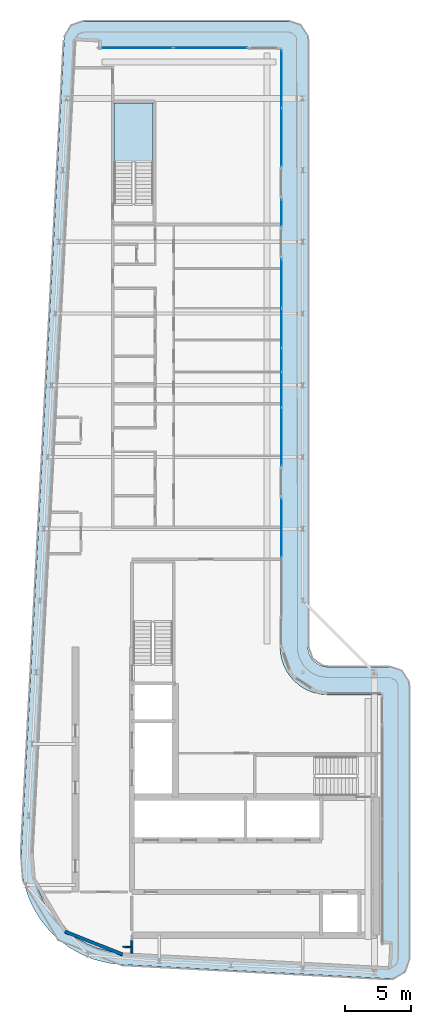
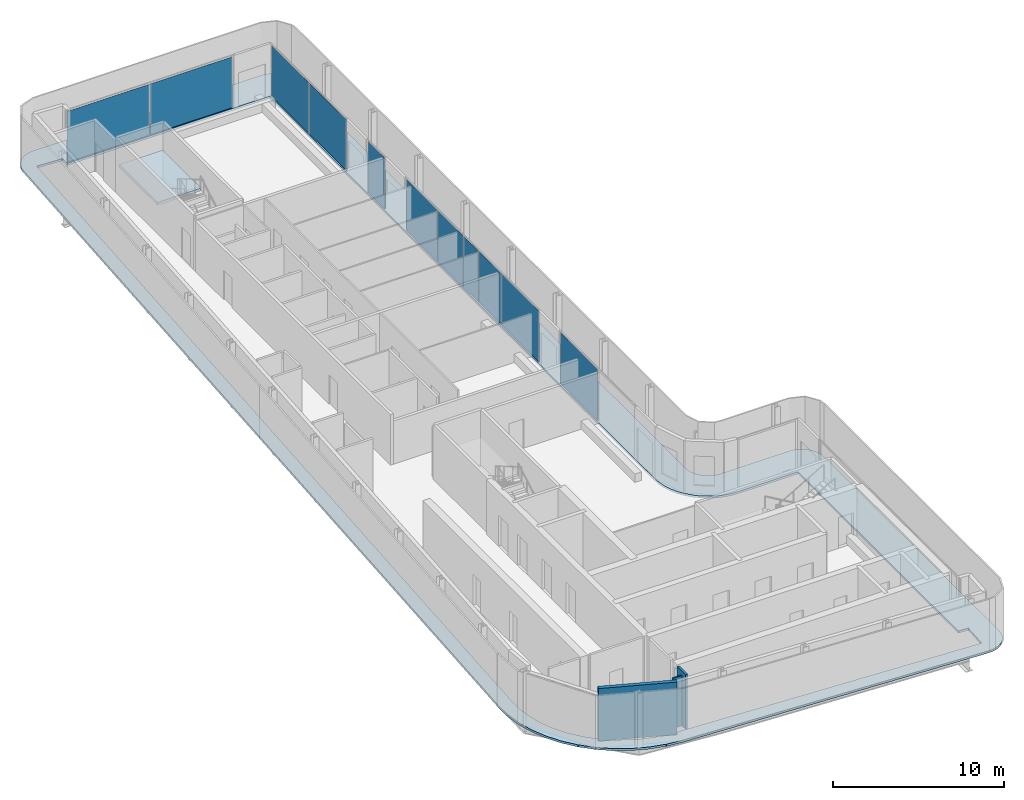
# One storey, part 8 of 19: 11 plates, 3 walls, 2 slabs, 7 elements without a shape of their own.
"""IFC4 building model written with IfcOpenShell, lengths in metres."""

from ifc_helpers import new_model, si_unit, direction, frame, frame_2d, origin, origin_2d, place, context, subcontext, project, spatial, polyline, rectangle, outline, extrude, material, layer, layer_set, type_object, element, aggregate, save


model = new_model("IFC4")

# Units and contexts
model_context = context("Model", 3, precision=1e-05, world=origin(), true_north=direction((0.0, 1.0)))
body_context = subcontext(model_context, "Body", "Model", "MODEL_VIEW")
ifc_project = project(units=[si_unit("LENGTHUNIT", "METRE"), si_unit("AREAUNIT", "SQUARE_METRE"), si_unit("VOLUMEUNIT", "CUBIC_METRE"), si_unit("PLANEANGLEUNIT", "RADIAN"), si_unit("MASSUNIT", "GRAM", prefix="KILO")], contexts=[model_context])

# Site, building, storey
site_placement = place(None, origin())
site = spatial("IfcSite", under=ifc_project, at=site_placement, CompositionType="ELEMENT")
building_placement = place(site_placement, origin())
building = spatial("IfcBuilding", under=site, at=building_placement, Name="Kheshtan School and Residences Tower", CompositionType="ELEMENT")
storey_placement = place(building_placement, frame((0.0, 0.0, 357.800048828125)))
storey = spatial("IfcBuildingStorey", under=building, at=storey_placement, Name="L84", CompositionType="ELEMENT", Elevation=357.800048828125)

# Curtain wall, plates
ifc_material_1 = material(Name="Clear low-e glass in thermally broken aluminium frame", Category="aluminium")
ifc_layer_1 = layer(ifc_material_1, 0.199951171875)
ifc_layer_set_1 = layer_set([ifc_layer_1], Name="Curtain wall CW-L")
curtain_wall_type = type_object("IfcCurtainWallType", Name="Curtain wall CW-L", PredefinedType="NOTDEFINED", material=ifc_layer_set_1)
curtain_wall_1_placement = place(storey_placement, origin())
curtain_wall_1 = element("IfcCurtainWall", 1, at=curtain_wall_1_placement, inside=storey, type_object=curtain_wall_type, Name="Curtain wall CWL3a", PredefinedType="NOTDEFINED")
ifc_layer_2 = layer(ifc_material_1, 0.031982421875)
ifc_layer_set_2 = layer_set([ifc_layer_2], Name="CW-L glass panel")
plate_type = type_object("IfcPlateType", Name="CW-L glass panel", PredefinedType="CURTAIN_PANEL", material=ifc_layer_set_2)
plate_1_placement = place(storey_placement, frame((35.0458984375, 92.60009765625, 0.0), z_axis=(0.0, 0.0, 1.0), x_axis=(1.0, 0.0, 0.0)))
plate_1 = element("IfcPlate", 2, at=plate_1_placement, type_object=plate_type, Name="CWL3a panel 1.1", PredefinedType="CURTAIN_PANEL", context=body_context, shape_type="SweptSolid", body=[
    extrude(rectangle(XDim=5.555908203125, YDim=0.031982421875, at=origin_2d()), origin(), (0.0, 0.0, 1.0), 3.6298828125),
])
plate_2_placement = place(storey_placement, frame((40.662109375, 92.60009765625, 0.0), z_axis=(0.0, 0.0, 1.0), x_axis=(1.0, 0.0, 0.0)))
plate_2 = element("IfcPlate", 3, at=plate_2_placement, type_object=plate_type, Name="CWL3a panel 2.1", PredefinedType="CURTAIN_PANEL", context=body_context, shape_type="SweptSolid", body=[
    extrude(rectangle(XDim=5.555908203125, YDim=0.031982421875, at=origin_2d()), origin(), (0.0, 0.0, 1.0), 3.6298828125),
])
aggregate(curtain_wall_1, [plate_1, plate_2])

curtain_wall_2_placement = place(storey_placement, origin())
curtain_wall_2 = element("IfcCurtainWall", 4, at=curtain_wall_2_placement, inside=storey, type_object=curtain_wall_type, Name="Curtain wall CWL4b", PredefinedType="NOTDEFINED")
plate_3_placement = place(storey_placement, frame((46.0, 90.26806640625, 0.0), z_axis=(0.0, 0.0, 1.0), x_axis=(0.0, -1.0, 0.0)))
plate_3 = element("IfcPlate", 5, at=plate_3_placement, type_object=plate_type, Name="CWL4b panel 1.1", PredefinedType="CURTAIN_PANEL", context=body_context, shape_type="SweptSolid", body=[
    extrude(rectangle(XDim=4.34375, YDim=0.031982421875, at=origin_2d()), origin(), (0.0, 0.0, 1.0), 3.6298828125),
])
plate_4_placement = place(storey_placement, frame((46.0, 85.8642578125, 0.0), z_axis=(0.0, 0.0, 1.0), x_axis=(0.0, -1.0, 0.0)))
plate_4 = element("IfcPlate", 6, at=plate_4_placement, type_object=plate_type, Name="CWL4b panel 2.1", PredefinedType="CURTAIN_PANEL", context=body_context, shape_type="SweptSolid", body=[
    extrude(rectangle(XDim=4.34375, YDim=0.031982421875, at=origin_2d()), origin(), (0.0, 0.0, 1.0), 3.6298828125),
])
aggregate(curtain_wall_2, [plate_3, plate_4])

# Curtain wall, plate
curtain_wall_3_placement = place(storey_placement, origin())
curtain_wall_3 = element("IfcCurtainWall", 7, at=curtain_wall_3_placement, inside=storey, type_object=curtain_wall_type, Name="Curtain wall CWL4c", PredefinedType="NOTDEFINED")
plate_5_placement = place(storey_placement, frame((46.0, 80.1826171875, 0.0), z_axis=(0.0, 0.0, 1.0), x_axis=(0.0, -1.0, 0.0)))
plate_5 = element("IfcPlate", 8, at=plate_5_placement, type_object=plate_type, Name="CWL4c panel 1.1", PredefinedType="CURTAIN_PANEL", context=body_context, shape_type="SweptSolid", body=[
    extrude(rectangle(XDim=1.97998046875, YDim=0.031982421875, at=origin_2d()), origin(), (0.0, 0.0, 1.0), 3.6298828125),
])
aggregate(curtain_wall_3, [plate_5])

# Curtain wall, plates
curtain_wall_4_placement = place(storey_placement, origin())
curtain_wall_4 = element("IfcCurtainWall", 9, at=curtain_wall_4_placement, inside=storey, type_object=curtain_wall_type, Name="Curtain wall CWL4l", PredefinedType="NOTDEFINED")
plate_6_placement = place(storey_placement, frame((46.0, 74.851318359375, 0.0), z_axis=(0.0, 0.0, 1.0), x_axis=(0.0, -1.0, 0.0)))
plate_6 = element("IfcPlate", 10, at=plate_6_placement, type_object=plate_type, Name="CWL4l panel 1.1", PredefinedType="CURTAIN_PANEL", context=body_context, shape_type="SweptSolid", body=[
    extrude(rectangle(XDim=3.642578125, YDim=0.031982421875, at=origin_2d()), origin(), (0.0, 0.0, 1.0), 3.6298828125),
])
plate_7_placement = place(storey_placement, frame((46.0, 71.49755859375, 0.0), z_axis=(0.0, 0.0, 1.0), x_axis=(0.0, -1.0, 0.0)))
plate_7 = element("IfcPlate", 11, at=plate_7_placement, type_object=plate_type, Name="CWL4l panel 2.1", PredefinedType="CURTAIN_PANEL", context=body_context, shape_type="SweptSolid", body=[
    extrude(rectangle(XDim=2.945068359375, YDim=0.031982421875, at=origin_2d()), origin(), (0.0, 0.0, 1.0), 3.6298828125),
])
aggregate(curtain_wall_4, [plate_6, plate_7])

curtain_wall_5_placement = place(storey_placement, origin())
curtain_wall_5 = element("IfcCurtainWall", 12, at=curtain_wall_5_placement, inside=storey, type_object=curtain_wall_type, Name="Curtain wall CWL4n", PredefinedType="NOTDEFINED")
plate_8_placement = place(storey_placement, frame((46.0, 69.097412109375, 0.0), z_axis=(0.0, 0.0, 1.0), x_axis=(0.0, -1.0, 0.0)))
plate_8 = element("IfcPlate", 13, at=plate_8_placement, type_object=plate_type, Name="CWL4n panel 1.1", PredefinedType="CURTAIN_PANEL", context=body_context, shape_type="SweptSolid", body=[
    extrude(rectangle(XDim=1.735107421875, YDim=0.031982421875, at=origin_2d()), origin(), (0.0, 0.0, 1.0), 3.6298828125),
])
plate_9_placement = place(storey_placement, frame((46.0, 66.86572265625, 0.0), z_axis=(0.0, 0.0, 1.0), x_axis=(0.0, -1.0, 0.0)))
plate_9 = element("IfcPlate", 14, at=plate_9_placement, type_object=plate_type, Name="CWL4n panel 2.1", PredefinedType="CURTAIN_PANEL", context=body_context, shape_type="SweptSolid", body=[
    extrude(rectangle(XDim=2.608642578125, YDim=0.031982421875, at=origin_2d()), origin(), (0.0, 0.0, 1.0), 3.6298828125),
])
plate_10_placement = place(storey_placement, frame((46.0, 63.329345703125, 0.0), z_axis=(0.0, 0.0, 1.0), x_axis=(0.0, -1.0, 0.0)))
plate_10 = element("IfcPlate", 15, at=plate_10_placement, type_object=plate_type, Name="CWL4n panel 3.1", PredefinedType="CURTAIN_PANEL", context=body_context, shape_type="SweptSolid", body=[
    extrude(rectangle(XDim=4.34375, YDim=0.031982421875, at=origin_2d()), origin(), (0.0, 0.0, 1.0), 3.6298828125),
])
aggregate(curtain_wall_5, [plate_8, plate_9, plate_10])

# Curtain wall, plate
curtain_wall_6_placement = place(storey_placement, origin())
curtain_wall_6 = element("IfcCurtainWall", 16, at=curtain_wall_6_placement, inside=storey, type_object=curtain_wall_type, Name="Curtain wall CWL4b", PredefinedType="NOTDEFINED")
plate_11_placement = place(storey_placement, frame((46.0, 56.465576171875, 0.0), z_axis=(0.0, 0.0, 1.0), x_axis=(0.0, -1.0, 0.0)))
plate_11 = element("IfcPlate", 17, at=plate_11_placement, type_object=plate_type, Name="CWL4b panel 1.1", PredefinedType="CURTAIN_PANEL", context=body_context, shape_type="SweptSolid", body=[
    extrude(rectangle(XDim=4.34375, YDim=0.031982421875, at=origin_2d()), origin(), (0.0, 0.0, 1.0), 3.6298828125),
])
aggregate(curtain_wall_6, [plate_11])

# Slab
ifc_material_2 = material(Name="Concrete C40/50", Category="concrete")
ifc_layer_3 = layer(ifc_material_2, 0.14990234375)
ifc_layer_set_3 = layer_set([ifc_layer_3], Name="Loggia balcony slab 150 Concrete C40/50")
slab_type_1 = type_object("IfcSlabType", Name="Loggia balcony slab 150 Concrete C40/50", PredefinedType="FLOOR", material=ifc_layer_set_3)
slab_1_placement = place(storey_placement, frame((0.0, 0.0, -0.150146484375)))
element("IfcSlab", 18, at=slab_1_placement, inside=storey, type_object=slab_type_1, Name="Loggia balcony slab L84", PredefinedType="FLOOR", context=body_context, shape_type="SweptSolid", body=[
    extrude(outline(polyline([(28.4580078125, 26.222900390625), (28.45703125, 26.222900390625), (28.45703125, 26.22412109375), (28.4560546875, 26.22412109375), (27.81494140625, 27.0390625), (27.281005859375, 27.93798828125), (26.867919921875, 28.89990234375), (26.583984375, 29.89990234375), (26.583984375, 29.906982421875), (26.43408203125, 30.943115234375), (26.419921875, 31.989013671875), (29.64111328125, 93.178955078125), (29.64697265625, 93.22705078125), (29.64697265625, 93.22802734375), (29.64599609375, 93.22802734375), (29.64599609375, 93.22900390625), (29.64501953125, 93.22900390625), (29.64501953125, 93.22998046875), (29.64404296875, 93.22998046875), (29.64404296875, 93.23095703125), (29.64306640625, 93.23095703125), (29.64306640625, 93.23193359375), (29.64306640625, 93.23291015625), (29.660888671875, 93.381103515625), (29.660888671875, 93.384033203125), (29.660888671875, 93.385009765625), (29.662109375, 93.385009765625), (29.662109375, 93.385986328125), (29.6630859375, 93.385986328125), (29.6630859375, 93.386962890625), (29.6640625, 93.386962890625), (29.6650390625, 93.386962890625), (29.6650390625, 93.387939453125), (29.666015625, 93.387939453125), (29.666015625, 93.388916015625), (29.666015625, 93.39111328125), (29.718994140625, 93.583984375), (29.799072265625, 93.77490234375), (29.905029296875, 93.952880859375), (30.027099609375, 94.10693359375), (30.028076171875, 94.10693359375), (30.028076171875, 94.10791015625), (30.029052734375, 94.10791015625), (30.029052734375, 94.10888671875), (30.030029296875, 94.10888671875), (30.030029296875, 94.110107421875), (30.031005859375, 94.110107421875), (30.031005859375, 94.111083984375), (30.031982421875, 94.111083984375), (30.031982421875, 94.112060546875), (30.032958984375, 94.112060546875), (30.032958984375, 94.113037109375), (30.033935546875, 94.113037109375), (30.035888671875, 94.113037109375), (30.037109375, 94.113037109375), (30.037109375, 94.114013671875), (30.18408203125, 94.257080078125), (30.18505859375, 94.257080078125), (30.18505859375, 94.258056640625), (30.18603515625, 94.258056640625), (30.18603515625, 94.259033203125), (30.18701171875, 94.259033203125), (30.18701171875, 94.260009765625), (30.18798828125, 94.260009765625), (30.18798828125, 94.260986328125), (30.18896484375, 94.260986328125), (30.18896484375, 94.261962890625), (30.18994140625, 94.261962890625), (30.18994140625, 94.262939453125), (30.19091796875, 94.262939453125), (30.19091796875, 94.263916015625), (30.35205078125, 94.376953125), (30.534912109375, 94.472900390625), (30.722900390625, 94.54296875), (30.72998046875, 94.54296875), (30.93310546875, 94.5859375), (31.138916015625, 94.60009765625), (46.5, 94.60009765625), (46.696044921875, 94.5869140625), (46.887939453125, 94.549072265625), (46.89501953125, 94.549072265625), (47.073974609375, 94.486083984375), (47.242919921875, 94.40087890625), (47.243896484375, 94.40087890625), (47.2470703125, 94.40087890625), (47.248046875, 94.40087890625), (47.248046875, 94.402099609375), (47.2490234375, 94.402099609375), (47.2490234375, 94.403076171875), (47.25, 94.403076171875), (47.2529296875, 94.403076171875), (47.25390625, 94.403076171875), (47.25390625, 94.402099609375), (47.2548828125, 94.402099609375), (47.2548828125, 94.40087890625), (47.256103515625, 94.40087890625), (47.256103515625, 94.39990234375), (47.257080078125, 94.39990234375), (47.257080078125, 94.39892578125), (47.258056640625, 94.39892578125), (47.258056640625, 94.39794921875), (47.412109375, 94.2958984375), (47.4130859375, 94.2958984375), (47.4130859375, 94.294921875), (47.4140625, 94.294921875), (47.4140625, 94.2939453125), (47.4140625, 94.2900390625), (47.4140625, 94.2890625), (47.4150390625, 94.2890625), (47.4150390625, 94.2880859375), (47.416015625, 94.2880859375), (47.416015625, 94.287109375), (47.4169921875, 94.287109375), (47.4169921875, 94.285888671875), (47.554931640625, 94.16796875), (47.554931640625, 94.1669921875), (47.555908203125, 94.1669921875), (47.555908203125, 94.166015625), (47.556884765625, 94.166015625), (47.556884765625, 94.1650390625), (47.55810546875, 94.1650390625), (47.55810546875, 94.1640625), (47.55908203125, 94.1640625), (47.55908203125, 94.1630859375), (47.56005859375, 94.1630859375), (47.56005859375, 94.162109375), (47.56103515625, 94.162109375), (47.56201171875, 94.160888671875), (47.56201171875, 94.159912109375), (47.56298828125, 94.159912109375), (47.56298828125, 94.158935546875), (47.56396484375, 94.158935546875), (47.56396484375, 94.157958984375), (47.56494140625, 94.157958984375), (47.56494140625, 94.156982421875), (47.56591796875, 94.156982421875), (47.56591796875, 94.156005859375), (47.56689453125, 94.156005859375), (47.56689453125, 94.155029296875), (47.568115234375, 94.155029296875), (47.68505859375, 94.01806640625), (47.68603515625, 94.01806640625), (47.68603515625, 94.01708984375), (47.68701171875, 94.01708984375), (47.68701171875, 94.01611328125), (47.68798828125, 94.01611328125), (47.68798828125, 94.014892578125), (47.68896484375, 94.014892578125), (47.68896484375, 94.013916015625), (47.68994140625, 94.013916015625), (47.694091796875, 94.013916015625), (47.695068359375, 94.013916015625), (47.695068359375, 94.012939453125), (47.696044921875, 94.012939453125), (47.696044921875, 94.011962890625), (47.797119140625, 93.85888671875), (47.798095703125, 93.85888671875), (47.798095703125, 93.85791015625), (47.799072265625, 93.85791015625), (47.799072265625, 93.85693359375), (47.800048828125, 93.85693359375), (47.800048828125, 93.85595703125), (47.801025390625, 93.85595703125), (47.801025390625, 93.85498046875), (47.802001953125, 93.85498046875), (47.802001953125, 93.85400390625), (47.802978515625, 93.85400390625), (47.802978515625, 93.85302734375), (47.802978515625, 93.85009765625), (47.802978515625, 93.84912109375), (47.802001953125, 93.84912109375), (47.802001953125, 93.847900390625), (47.801025390625, 93.847900390625), (47.801025390625, 93.846923828125), (47.801025390625, 93.843994140625), (47.801025390625, 93.843017578125), (47.885986328125, 93.674072265625), (47.948974609375, 93.4951171875), (47.948974609375, 93.488037109375), (47.987060546875, 93.2958984375), (48.0, 93.10009765625), (48.0, 47.5), (48.012939453125, 47.303955078125), (48.051025390625, 47.113037109375), (48.051025390625, 47.10693359375), (48.051025390625, 47.10595703125), (48.114013671875, 46.926025390625), (48.200927734375, 46.75), (48.31005859375, 46.5869140625), (48.431884765625, 46.444091796875), (48.43310546875, 46.444091796875), (48.43310546875, 46.443115234375), (48.43408203125, 46.443115234375), (48.43408203125, 46.44189453125), (48.43505859375, 46.44189453125), (48.43505859375, 46.44091796875), (48.43603515625, 46.44091796875), (48.43603515625, 46.43994140625), (48.43701171875, 46.43994140625), (48.43701171875, 46.43896484375), (48.43798828125, 46.43896484375), (48.43896484375, 46.43798828125), (48.43896484375, 46.43701171875), (48.43994140625, 46.43701171875), (48.43994140625, 46.43603515625), (48.44091796875, 46.43603515625), (48.44091796875, 46.43505859375), (48.44189453125, 46.43505859375), (48.44189453125, 46.43408203125), (48.443115234375, 46.43408203125), (48.443115234375, 46.43310546875), (48.444091796875, 46.43310546875), (48.444091796875, 46.431884765625), (48.5869140625, 46.31005859375), (48.75, 46.200927734375), (48.926025390625, 46.114013671875), (49.10595703125, 46.051025390625), (49.10693359375, 46.051025390625), (49.113037109375, 46.051025390625), (49.303955078125, 46.012939453125), (49.5, 46.0), (54.10009765625, 46.0), (54.2958984375, 45.987060546875), (54.488037109375, 45.948974609375), (54.4951171875, 45.948974609375), (54.674072265625, 45.885986328125), (54.842041015625, 45.801025390625), (54.843017578125, 45.801025390625), (54.846923828125, 45.801025390625), (54.847900390625, 45.801025390625), (54.847900390625, 45.802001953125), (54.84912109375, 45.802001953125), (54.84912109375, 45.802978515625), (54.85009765625, 45.802978515625), (54.85302734375, 45.802978515625), (54.85400390625, 45.802978515625), (54.85400390625, 45.802001953125), (54.85498046875, 45.802001953125), (54.85498046875, 45.801025390625), (54.85595703125, 45.801025390625), (54.85595703125, 45.800048828125), (54.85693359375, 45.800048828125), (54.85693359375, 45.799072265625), (54.85791015625, 45.799072265625), (54.85791015625, 45.798095703125), (54.85888671875, 45.798095703125), (54.85888671875, 45.797119140625), (54.860107421875, 45.797119140625), (54.860107421875, 45.7958984375), (55.011962890625, 45.696044921875), (55.012939453125, 45.696044921875), (55.012939453125, 45.695068359375), (55.013916015625, 45.695068359375), (55.013916015625, 45.694091796875), (55.013916015625, 45.68994140625), (55.013916015625, 45.68896484375), (55.014892578125, 45.68896484375), (55.014892578125, 45.68798828125), (55.01611328125, 45.68798828125), (55.01611328125, 45.68701171875), (55.01708984375, 45.68701171875), (55.01708984375, 45.68603515625), (55.01806640625, 45.68603515625), (55.01806640625, 45.68505859375), (55.01904296875, 45.68505859375), (55.01904296875, 45.68408203125), (55.155029296875, 45.568115234375), (55.155029296875, 45.56689453125), (55.156005859375, 45.56689453125), (55.156005859375, 45.56591796875), (55.156982421875, 45.56591796875), (55.156982421875, 45.56494140625), (55.157958984375, 45.56494140625), (55.157958984375, 45.56396484375), (55.158935546875, 45.56396484375), (55.158935546875, 45.56298828125), (55.159912109375, 45.56298828125), (55.159912109375, 45.56201171875), (55.160888671875, 45.56201171875), (55.162109375, 45.56103515625), (55.162109375, 45.56005859375), (55.1630859375, 45.56005859375), (55.1630859375, 45.55908203125), (55.1640625, 45.55908203125), (55.1640625, 45.55810546875), (55.1650390625, 45.55810546875), (55.1650390625, 45.556884765625), (55.166015625, 45.556884765625), (55.166015625, 45.555908203125), (55.1669921875, 45.555908203125), (55.1669921875, 45.554931640625), (55.16796875, 45.554931640625), (55.281982421875, 45.4208984375), (55.282958984375, 45.4208984375), (55.282958984375, 45.419921875), (55.283935546875, 45.419921875), (55.283935546875, 45.4189453125), (55.284912109375, 45.4189453125), (55.284912109375, 45.41796875), (55.285888671875, 45.41796875), (55.285888671875, 45.4169921875), (55.287109375, 45.4169921875), (55.287109375, 45.416015625), (55.2880859375, 45.416015625), (55.2880859375, 45.4150390625), (55.2890625, 45.4150390625), (55.2890625, 45.4140625), (55.2900390625, 45.4140625), (55.2939453125, 45.4140625), (55.294921875, 45.4140625), (55.294921875, 45.4130859375), (55.2958984375, 45.4130859375), (55.2958984375, 45.412109375), (55.39404296875, 45.261962890625), (55.39501953125, 45.261962890625), (55.39501953125, 45.260986328125), (55.39599609375, 45.260986328125), (55.39599609375, 45.260009765625), (55.39697265625, 45.260009765625), (55.39697265625, 45.259033203125), (55.39794921875, 45.259033203125), (55.39794921875, 45.258056640625), (55.39892578125, 45.258056640625), (55.39892578125, 45.257080078125), (55.39990234375, 45.257080078125), (55.39990234375, 45.256103515625), (55.40087890625, 45.256103515625), (55.40087890625, 45.2548828125), (55.402099609375, 45.2548828125), (55.402099609375, 45.25390625), (55.403076171875, 45.25390625), (55.403076171875, 45.2529296875), (55.403076171875, 45.25), (55.403076171875, 45.2490234375), (55.402099609375, 45.2490234375), (55.402099609375, 45.248046875), (55.40087890625, 45.248046875), (55.40087890625, 45.2470703125), (55.40087890625, 45.240966796875), (55.40087890625, 45.239990234375), (55.486083984375, 45.073974609375), (55.549072265625, 44.89501953125), (55.549072265625, 44.887939453125), (55.5869140625, 44.696044921875), (55.60009765625, 44.5), (55.60009765625, 24.02294921875), (55.5859375, 23.821044921875), (55.544921875, 23.6220703125), (55.544921875, 23.614990234375), (55.47802734375, 23.430908203125), (55.385986328125, 23.25), (55.27099609375, 23.0849609375), (55.27099609375, 23.083984375), (55.27099609375, 23.0830078125), (55.27099609375, 23.08203125), (55.27197265625, 23.08203125), (55.27197265625, 23.0810546875), (55.27197265625, 23.0791015625), (55.27197265625, 23.077880859375), (55.27099609375, 23.077880859375), (55.27099609375, 23.076904296875), (55.137939453125, 22.93408203125), (55.135009765625, 22.930908203125), (55.134033203125, 22.930908203125), (55.134033203125, 22.929931640625), (55.133056640625, 22.929931640625), (55.131103515625, 22.929931640625), (55.1298828125, 22.929931640625), (55.1298828125, 22.930908203125), (55.12890625, 22.930908203125), (55.1279296875, 22.930908203125), (55.126953125, 22.930908203125), (54.97607421875, 22.805908203125), (54.803955078125, 22.698974609375), (54.618896484375, 22.615966796875), (54.430908203125, 22.55908203125), (54.424072265625, 22.55908203125), (54.22412109375, 22.528076171875), (54.02099609375, 22.52490234375), (33.989013671875, 23.580078125), (33.94189453125, 23.5859375), (33.94091796875, 23.5859375), (33.93994140625, 23.5859375), (33.93994140625, 23.5849609375), (33.93896484375, 23.5849609375), (33.93896484375, 23.583984375), (33.93798828125, 23.583984375), (33.93798828125, 23.5830078125), (33.93701171875, 23.5830078125), (33.93701171875, 23.58203125), (33.93603515625, 23.58203125), (33.93505859375, 23.58203125), (32.952880859375, 23.697998046875), (32.949951171875, 23.697998046875), (32.948974609375, 23.697998046875), (32.948974609375, 23.698974609375), (32.947998046875, 23.698974609375), (32.947998046875, 23.699951171875), (32.947021484375, 23.699951171875), (32.947021484375, 23.700927734375), (32.947021484375, 23.702880859375), (32.947021484375, 23.7041015625), (32.946044921875, 23.7041015625), (32.946044921875, 23.705078125), (32.945068359375, 23.705078125), (32.944091796875, 23.705078125), (31.93603515625, 23.9609375), (31.928955078125, 23.9609375), (30.964111328125, 24.34912109375), (30.051025390625, 24.860107421875), (29.218994140625, 25.47900390625), (29.218994140625, 25.47998046875), (29.218017578125, 25.47998046875), (29.218017578125, 25.48095703125), (29.217041015625, 25.48095703125), (29.217041015625, 25.48193359375), (29.216064453125, 25.48193359375), (29.216064453125, 25.48291015625), (29.215087890625, 25.48291015625), (29.215087890625, 25.48388671875), (29.214111328125, 25.48388671875), (29.214111328125, 25.485107421875), (29.212890625, 25.485107421875), (29.212890625, 25.486083984375), (29.2119140625, 25.486083984375), (28.466064453125, 26.217041015625), (28.466064453125, 26.218017578125), (28.465087890625, 26.218017578125), (28.462890625, 26.218017578125), (28.4619140625, 26.218017578125), (28.4619140625, 26.218994140625), (28.4609375, 26.218994140625), (28.4609375, 26.219970703125), (28.4599609375, 26.219970703125), (28.4599609375, 26.220947265625), (28.458984375, 26.220947265625), (28.458984375, 26.221923828125), (28.4580078125, 26.221923828125), (28.4580078125, 26.222900390625)]), holes=[polyline([(27.466064453125, 30.0869140625), (27.718017578125, 29.200927734375), (28.0849609375, 28.345947265625), (28.55908203125, 27.550048828125), (29.126953125, 26.825927734375), (29.1279296875, 26.825927734375), (29.1279296875, 26.824951171875), (29.12890625, 26.824951171875), (29.12890625, 26.823974609375), (29.1298828125, 26.823974609375), (29.1298828125, 26.822998046875), (29.131103515625, 26.822998046875), (29.131103515625, 26.822021484375), (29.132080078125, 26.822021484375), (29.132080078125, 26.821044921875), (29.133056640625, 26.821044921875), (29.133056640625, 26.820068359375), (29.134033203125, 26.820068359375), (29.794921875, 26.173095703125), (29.794921875, 26.172119140625), (29.7958984375, 26.172119140625), (29.798095703125, 26.172119140625), (29.799072265625, 26.172119140625), (29.799072265625, 26.1708984375), (29.800048828125, 26.1708984375), (29.800048828125, 26.169921875), (29.801025390625, 26.169921875), (29.801025390625, 26.1689453125), (29.802001953125, 26.1689453125), (29.802001953125, 26.16796875), (29.802978515625, 26.16796875), (29.802978515625, 26.1669921875), (29.803955078125, 26.1669921875), (29.803955078125, 26.166015625), (30.541015625, 25.616943359375), (31.35205078125, 25.1630859375), (32.208984375, 24.819091796875), (32.2099609375, 24.819091796875), (32.216064453125, 24.819091796875), (33.114990234375, 24.590087890625), (34.06591796875, 24.47705078125), (54.0380859375, 23.425048828125), (54.06494140625, 23.426025390625), (54.06591796875, 23.426025390625), (54.06689453125, 23.426025390625), (54.06689453125, 23.427001953125), (54.068115234375, 23.427001953125), (54.068115234375, 23.427978515625), (54.068115234375, 23.428955078125), (54.157958984375, 25.117919921875), (54.157958984375, 25.118896484375), (54.157958984375, 25.1201171875), (54.156982421875, 25.1201171875), (54.156982421875, 25.12109375), (54.156005859375, 25.12109375), (54.155029296875, 25.12109375), (53.5009765625, 25.156005859375), (53.5, 25.156005859375), (53.5, 25.156982421875), (53.5, 43.89794921875), (53.5, 43.89892578125), (53.4990234375, 43.89892578125), (53.4990234375, 43.89990234375), (53.498046875, 43.89990234375), (49.429931640625, 43.89990234375), (49.030029296875, 43.927001953125), (48.569091796875, 44.01806640625), (48.56201171875, 44.01806640625), (48.1201171875, 44.169921875), (47.697021484375, 44.37890625), (47.30810546875, 44.638916015625), (46.95703125, 44.944091796875), (46.95703125, 44.945068359375), (46.9560546875, 44.945068359375), (46.9560546875, 44.946044921875), (46.955078125, 44.946044921875), (46.955078125, 44.947021484375), (46.9541015625, 44.947021484375), (46.9541015625, 44.947998046875), (46.952880859375, 44.947998046875), (46.952880859375, 44.948974609375), (46.951904296875, 44.948974609375), (46.951904296875, 44.949951171875), (46.951904296875, 44.950927734375), (46.950927734375, 44.950927734375), (46.950927734375, 44.951904296875), (46.949951171875, 44.951904296875), (46.948974609375, 44.951904296875), (46.948974609375, 44.952880859375), (46.947998046875, 44.952880859375), (46.947998046875, 44.9541015625), (46.947021484375, 44.9541015625), (46.947021484375, 44.955078125), (46.946044921875, 44.955078125), (46.946044921875, 44.9560546875), (46.945068359375, 44.9560546875), (46.945068359375, 44.95703125), (46.944091796875, 44.95703125), (46.638916015625, 45.30810546875), (46.37890625, 45.697021484375), (46.169921875, 46.1201171875), (46.01806640625, 46.56201171875), (46.01806640625, 46.569091796875), (45.927001953125, 47.030029296875), (45.89990234375, 47.429931640625), (45.89990234375, 92.498046875), (45.89990234375, 92.4990234375), (45.89892578125, 92.4990234375), (45.89892578125, 92.5), (45.89794921875, 92.5), (32.208984375, 92.5), (32.2080078125, 92.5), (32.237060546875, 93.0390625), (32.237060546875, 93.0400390625), (32.237060546875, 93.041015625), (32.236083984375, 93.041015625), (32.236083984375, 93.0419921875), (32.235107421875, 93.0419921875), (32.23388671875, 93.0419921875), (30.544921875, 93.132080078125), (30.5439453125, 93.132080078125), (30.54296875, 93.132080078125), (30.54296875, 93.131103515625), (30.5419921875, 93.131103515625), (30.5419921875, 93.1298828125), (30.5419921875, 93.12890625), (30.5380859375, 93.10107421875), (27.320068359375, 31.970947265625), (27.3330078125, 31.013916015625), (27.466064453125, 30.093994140625), (27.466064453125, 30.087890625), (27.466064453125, 30.0869140625)])]), origin(), (0.0, 0.0, 1.0), 0.150146484375),
])

# Stair, slab
stair_type = type_object("IfcStairType", Name="Exit stair, half-turn", PredefinedType="HALF_TURN_STAIR", material=ifc_material_2)
stair_placement = place(storey_placement, origin())
stair = element("IfcStair", 19, at=stair_placement, inside=storey, type_object=stair_type, Name="L84 Protected Exit Stair ST3", PredefinedType="HALF_TURN_STAIR")
ifc_layer_4 = layer(ifc_material_2, 0.199951171875)
ifc_layer_set_4 = layer_set([ifc_layer_4], Name="Stair landing 200 Concrete C40/50")
slab_type_2 = type_object("IfcSlabType", Name="Stair landing 200 Concrete C40/50", PredefinedType="LANDING", material=ifc_layer_set_4)
slab_2_placement = place(storey_placement, frame((0.0, 0.0, 1.75)))
slab_2 = element("IfcSlab", 20, at=slab_2_placement, type_object=slab_type_2, Name="ST3 landing 1", PredefinedType="LANDING", context=body_context, shape_type="SweptSolid", body=[
    extrude(outline(polyline([(36.35009765625, 83.97998046875), (36.35009765625, 88.4599609375), (33.39990234375, 88.4599609375), (33.39990234375, 83.97998046875), (36.35009765625, 83.97998046875)])), origin(), (0.0, 0.0, 1.0), 0.199951171875),
])
aggregate(stair, [slab_2])

# Walls
ifc_material_3 = material(Name="Concrete C40/50 with ceramic cladding and mineral wool insulation", Category="concrete")
ifc_layer_5 = layer(ifc_material_3, 0.25)
ifc_layer_set_5 = layer_set([ifc_layer_5], Name="External wall 250 ceramic clad")
wall_type_1 = type_object("IfcWallType", Name="External wall 250 ceramic clad", PredefinedType="SOLIDWALL", material=ifc_layer_set_5)
wall_1_placement = place(storey_placement, frame((34.0390625, 24.35302734375, 0.0), z_axis=(0.0, 0.0, 1.0), x_axis=(-0.929352825399, 0.369192803184, 0.0)))
element("IfcWall", 21, at=wall_1_placement, inside=storey, type_object=wall_type_1, Name="External wall L84 13", PredefinedType="SOLIDWALL", context=body_context, shape_type="SweptSolid", body=[
    extrude(rectangle(XDim=4.656005859375, YDim=0.25, at=frame_2d((2.328125, 0.0))), origin(), (0.0, 0.0, 1.0), 3.75),
])
ifc_material_4 = material(Name="Gypsum board on steel studs", Category="steel")
ifc_layer_6 = layer(ifc_material_4, 0.10009765625)
ifc_layer_set_6 = layer_set([ifc_layer_6], Name="Gypsum partition 100")
wall_type_2 = type_object("IfcWallType", Name="Gypsum partition 100", PredefinedType="PARTITIONING", material=ifc_layer_set_6)
wall_2_placement = place(storey_placement, frame((34.06298828125, 24.928955078125, 0.0), z_axis=(0.0, 0.0, 1.0), x_axis=(0.99864189377, -0.052099597007, 0.0)))
element("IfcWall", 22, at=wall_2_placement, inside=storey, type_object=wall_type_2, Name="Partition L84-016", PredefinedType="PARTITIONING", context=body_context, shape_type="SweptSolid", body=[
    extrude(rectangle(XDim=0.61376953125, YDim=0.10009765625, at=frame_2d((0.306884765625, 0.0))), origin(), (0.0, 0.0, 1.0), 3.599853515625),
])
ifc_material_5 = material(Name="Fire-board shaft wall system")
ifc_layer_7 = layer(ifc_material_5, 0.14990234375)
ifc_layer_set_7 = layer_set([ifc_layer_7], Name="Service room wall 150")
wall_type_3 = type_object("IfcWallType", Name="Service room wall 150", PredefinedType="PARTITIONING", material=ifc_layer_set_7)
wall_3_placement = place(storey_placement, frame((34.75, 24.444091796875, 0.0), z_axis=(0.0, 0.0, 1.0), x_axis=(0.0, 1.0, 0.0)))
element("IfcWall", 23, at=wall_3_placement, inside=storey, type_object=wall_type_3, Name="Service room wall", PredefinedType="PARTITIONING", context=body_context, shape_type="SweptSolid", body=[
    extrude(rectangle(XDim=0.98583984375, YDim=0.14990234375, at=frame_2d((0.492919921875, 0.0))), origin(), (0.0, 0.0, 1.0), 3.89990234375),
])

save(model, "model.ifc")
